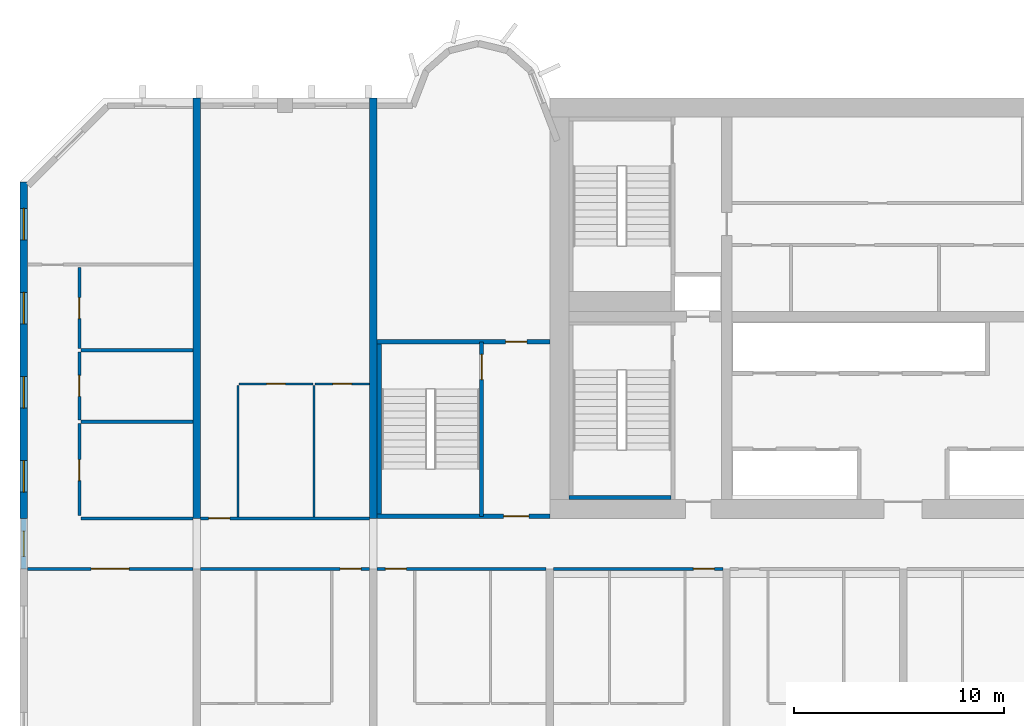
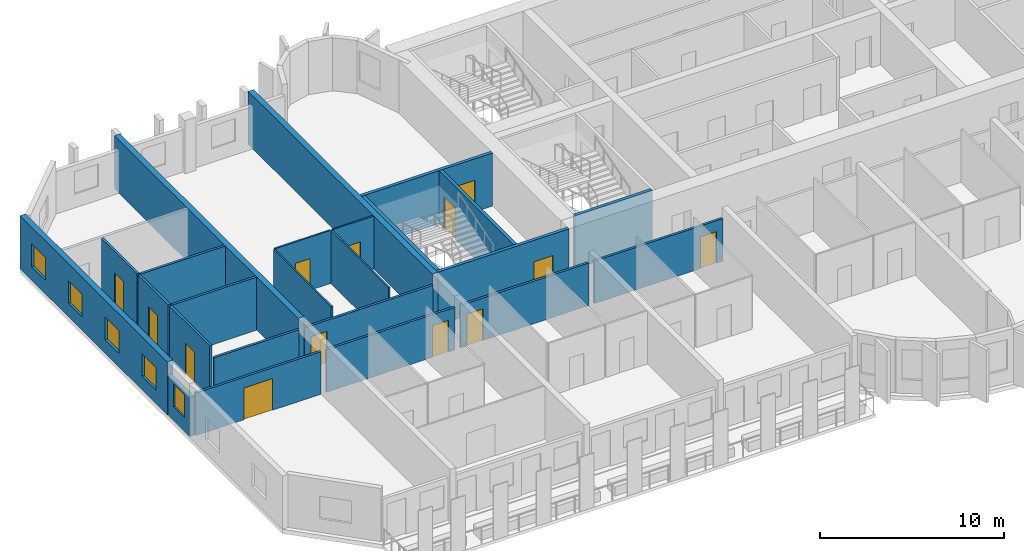
# One storey, part 3 of 14: 24 walls, 13 doors, 5 windows, 18 openings.
"""IFC4 building model written with IfcOpenShell, lengths in metres."""

from ifc_helpers import new_model, si_unit, direction, frame, frame_2d, origin, place, context, subcontext, project, spatial, rectangle, extrude, source, transform, mapped, material, layer, layer_set, type_object, element, fill, save


model = new_model("IFC4")

# Units and contexts
model_context = context("Model", 3, precision=1e-05, world=origin(), true_north=direction((0.0, 1.0)))
body_context = subcontext(model_context, "Body", "Model", "MODEL_VIEW")
ifc_project = project(units=[si_unit("LENGTHUNIT", "METRE"), si_unit("AREAUNIT", "SQUARE_METRE"), si_unit("VOLUMEUNIT", "CUBIC_METRE"), si_unit("PLANEANGLEUNIT", "RADIAN"), si_unit("MASSUNIT", "GRAM", prefix="KILO")], contexts=[model_context])

# Site, building, storey
site_placement = place(None, origin())
site = spatial("IfcSite", under=ifc_project, at=site_placement, CompositionType="ELEMENT")
building_placement = place(site_placement, origin())
building = spatial("IfcBuilding", under=site, at=building_placement, Name="Vanashikhar Sky Hotel", CompositionType="ELEMENT")
storey_placement = place(building_placement, frame((0.0, 0.0, 118.0)))
storey = spatial("IfcBuildingStorey", under=building, at=storey_placement, Name="L28", CompositionType="ELEMENT", Elevation=118.0)

# Wall, openings, windows
ifc_material_1 = material(Name="Concrete M70", Category="concrete")
ifc_layer_1 = layer(ifc_material_1, 0.35009765625)
ifc_layer_set_1 = layer_set([ifc_layer_1], Name="RC shear wall 350 Concrete M70")
wall_type_1 = type_object("IfcWallType", Name="RC shear wall 350 Concrete M70", PredefinedType="SHEAR", material=ifc_layer_set_1)
shared_shape_1 = source(origin(), body_context, "Body", "SweptSolid", [
    extrude(rectangle(XDim=16.0, YDim=0.35009765625, at=frame_2d((8.0, 0.0))), origin(), (0.0, 0.0, 1.0), 3.52001953125),
])
wall_1_placement = place(storey_placement, frame((0.175048828125, 22.0, 0.0), z_axis=(0.0, 0.0, 1.0), x_axis=(0.0, 1.0, 0.0)))
wall_1 = element("IfcWall", 1, at=wall_1_placement, inside=storey, type_object=wall_type_1, Name="CW-L28-XW01-2", PredefinedType="SHEAR", context=body_context, shape_type="MappedRepresentation", body=[
    mapped(shared_shape_1, transform((0.0, 0.0, 0.0), scale=1.0)),
])
shared_shape_2 = source(origin(), body_context, "Body", "SweptSolid", [
    extrude(rectangle(XDim=1.5, YDim=1.5, at=frame_2d((0.75, 0.75))), frame((0.0, 0.18505859375, 0.0), z_axis=(0.0, -1.0, 0.0), x_axis=(1.0, 0.0, 0.0)), (0.0, 0.0, 1.0), 0.3701171875),
])
opening_1_placement = place(wall_1_placement, frame((1.25, 0.0, 0.89990234375)))
opening_1 = element("IfcOpeningElement", 2, at=opening_1_placement, cuts=wall_1, Name="Opening WN-1", PredefinedType="OPENING", context=body_context, shape_type="MappedRepresentation", body=[
    mapped(shared_shape_2, transform((0.0, 0.0, 0.0), scale=1.0)),
])
opening_2_placement = place(wall_1_placement, frame((5.25, 0.0, 0.89990234375)))
opening_2 = element("IfcOpeningElement", 3, at=opening_2_placement, cuts=wall_1, Name="Opening WN-1", PredefinedType="OPENING", context=body_context, shape_type="MappedRepresentation", body=[
    mapped(shared_shape_2, transform((0.0, 0.0, 0.0), scale=1.0)),
])
opening_3_placement = place(wall_1_placement, frame((9.25, 0.0, 0.89990234375)))
opening_3 = element("IfcOpeningElement", 4, at=opening_3_placement, cuts=wall_1, Name="Opening WN-1", PredefinedType="OPENING", context=body_context, shape_type="MappedRepresentation", body=[
    mapped(shared_shape_2, transform((0.0, 0.0, 0.0), scale=1.0)),
])
opening_4_placement = place(wall_1_placement, frame((13.25, 0.0, 0.89990234375)))
opening_4 = element("IfcOpeningElement", 5, at=opening_4_placement, cuts=wall_1, Name="Opening WN-1", PredefinedType="OPENING", context=body_context, shape_type="MappedRepresentation", body=[
    mapped(shared_shape_2, transform((0.0, 0.0, 0.0), scale=1.0)),
])
ifc_material_2 = material(Name="Glass", Category="glass")
window_type_1 = type_object("IfcWindowType", Name="Window 1500 x 1500", PartitioningType="SINGLE_PANEL", PredefinedType="WINDOW", material=ifc_material_2)
shared_shape_3 = source(origin(), body_context, "Body", "SweptSolid", [
    extrude(rectangle(XDim=1.5, YDim=1.5, at=frame_2d((0.75, 0.75))), frame((0.0, 0.030029296875, 0.0), z_axis=(0.0, -1.0, 0.0), x_axis=(1.0, 0.0, 0.0)), (0.0, 0.0, 1.0), 0.06005859375),
])
window_1_placement = place(opening_1_placement, origin())
window_1 = element("IfcWindow", 6, at=window_1_placement, inside=storey, type_object=window_type_1, Name="Window WN-1", OverallHeight=1.5, OverallWidth=1.5, PartitioningType="SINGLE_PANEL", PredefinedType="WINDOW", context=body_context, shape_type="MappedRepresentation", body=[
    mapped(shared_shape_3, transform((0.0, 0.0, 0.0), scale=1.0)),
])
fill(opening_1, window_1)
window_2_placement = place(opening_2_placement, origin())
window_2 = element("IfcWindow", 7, at=window_2_placement, inside=storey, type_object=window_type_1, Name="Window WN-1", OverallHeight=1.5, OverallWidth=1.5, PartitioningType="SINGLE_PANEL", PredefinedType="WINDOW", context=body_context, shape_type="MappedRepresentation", body=[
    mapped(shared_shape_3, transform((0.0, 0.0, 0.0), scale=1.0)),
])
fill(opening_2, window_2)
window_3_placement = place(opening_3_placement, origin())
window_3 = element("IfcWindow", 8, at=window_3_placement, inside=storey, type_object=window_type_1, Name="Window WN-1", OverallHeight=1.5, OverallWidth=1.5, PartitioningType="SINGLE_PANEL", PredefinedType="WINDOW", context=body_context, shape_type="MappedRepresentation", body=[
    mapped(shared_shape_3, transform((0.0, 0.0, 0.0), scale=1.0)),
])
fill(opening_3, window_3)
window_4_placement = place(opening_4_placement, origin())
window_4 = element("IfcWindow", 9, at=window_4_placement, inside=storey, type_object=window_type_1, Name="Window WN-1", OverallHeight=1.5, OverallWidth=1.5, PartitioningType="SINGLE_PANEL", PredefinedType="WINDOW", context=body_context, shape_type="MappedRepresentation", body=[
    mapped(shared_shape_3, transform((0.0, 0.0, 0.0), scale=1.0)),
])
fill(opening_4, window_4)

# Walls
shared_shape_4 = source(origin(), body_context, "Body", "SweptSolid", [
    extrude(rectangle(XDim=20.0, YDim=0.35009765625, at=frame_2d((10.0, 0.0))), origin(), (0.0, 0.0, 1.0), 3.52001953125),
])
for number, where, z_axis, x_axis, name in (
    (10, (8.39990234375, 22.0, 0.0), (0.0, 0.0, 1.0), (0.0, 1.0, 0.0), "CW-L28-XW02-2"),
    (11, (16.800048828125, 22.0, 0.0), (0.0, 0.0, 1.0), (0.0, 1.0, 0.0), "CW-L28-XW03-2"),
):
    element("IfcWall", number, at=place(storey_placement, frame(where, z_axis=z_axis, x_axis=x_axis)), inside=storey, type_object=wall_type_1, Name=name, PredefinedType="SHEAR", context=body_context, shape_type="MappedRepresentation", body=[
        mapped(shared_shape_4, transform((0.0, 0.0, 0.0), scale=1.0)),
    ])

# Wall, opening, window
ifc_material_3 = material(Name="Concrete M50", Category="concrete")
ifc_layer_2 = layer(ifc_material_3, 0.25)
ifc_layer_set_2 = layer_set([ifc_layer_2], Name="Rear and end board-marked wall 250")
wall_type_2 = type_object("IfcWallType", Name="Rear and end board-marked wall 250", PredefinedType="SOLIDWALL", material=ifc_layer_set_2)
shared_shape_5 = source(origin(), body_context, "Body", "SweptSolid", [
    extrude(rectangle(XDim=2.39990234375, YDim=0.25, at=frame_2d((1.199951171875, 0.0))), origin(), (0.0, 0.0, 1.0), 2.6201171875),
])
wall_2_placement = place(storey_placement, frame((0.175048828125, 19.60009765625, 0.0), z_axis=(0.0, 0.0, 1.0), x_axis=(0.0, 1.0, 0.0)))
wall_2 = element("IfcWall", 12, at=wall_2_placement, inside=storey, type_object=wall_type_2, Name="End corridor infill wall", PredefinedType="SOLIDWALL", context=body_context, shape_type="MappedRepresentation", body=[
    mapped(shared_shape_5, transform((0.0, 0.0, 0.0), scale=1.0)),
])
shared_shape_6 = source(origin(), body_context, "Body", "SweptSolid", [
    extrude(rectangle(XDim=1.199951171875, YDim=1.5, at=frame_2d((0.60009765625, 0.75))), frame((0.0, 0.135009765625, 0.0), z_axis=(0.0, -1.0, 0.0), x_axis=(1.0, 0.0, 0.0)), (0.0, 0.0, 1.0), 0.27001953125),
])
opening_5_placement = place(wall_2_placement, frame((0.60009765625, 0.0, 0.89990234375)))
opening_5 = element("IfcOpeningElement", 13, at=opening_5_placement, cuts=wall_2, Name="Opening WN-3", PredefinedType="OPENING", context=body_context, shape_type="MappedRepresentation", body=[
    mapped(shared_shape_6, transform((0.0, 0.0, 0.0), scale=1.0)),
])
window_type_2 = type_object("IfcWindowType", Name="Corridor end window 1200 x 1500", PartitioningType="SINGLE_PANEL", PredefinedType="WINDOW", material=ifc_material_2)
shared_shape_7 = source(origin(), body_context, "Body", "SweptSolid", [
    extrude(rectangle(XDim=1.199951171875, YDim=1.5, at=frame_2d((0.60009765625, 0.75))), frame((0.0, 0.030029296875, 0.0), z_axis=(0.0, -1.0, 0.0), x_axis=(1.0, 0.0, 0.0)), (0.0, 0.0, 1.0), 0.06005859375),
])
window_5_placement = place(opening_5_placement, origin())
window_5 = element("IfcWindow", 14, at=window_5_placement, inside=storey, type_object=window_type_2, Name="Window WN-3", OverallHeight=1.5, OverallWidth=1.199951171875, PartitioningType="SINGLE_PANEL", PredefinedType="WINDOW", context=body_context, shape_type="MappedRepresentation", body=[
    mapped(shared_shape_7, transform((0.0, 0.0, 0.0), scale=1.0)),
])
fill(opening_5, window_5)

# Wall, opening, door
ifc_layer_3 = layer(ifc_material_3, 0.199951171875)
ifc_layer_set_3 = layer_set([ifc_layer_3], Name="Stair wall 200")
wall_type_3 = type_object("IfcWallType", Name="Stair wall 200", PredefinedType="SOLIDWALL", material=ifc_layer_set_3)
shared_shape_8 = source(origin(), body_context, "Body", "SweptSolid", [
    extrude(rectangle(XDim=8.2998046875, YDim=0.199951171875, at=frame_2d((4.14990234375, 0.0))), origin(), (0.0, 0.0, 1.0), 3.52001953125),
])
wall_3_placement = place(storey_placement, frame((21.949951171875, 22.10009765625, 0.0), z_axis=(0.0, 0.0, 1.0), x_axis=(0.0, 1.0, 0.0)))
wall_3 = element("IfcWall", 15, at=wall_3_placement, inside=storey, type_object=wall_type_3, Name="Stair wall 200", PredefinedType="SOLIDWALL", context=body_context, shape_type="MappedRepresentation", body=[
    mapped(shared_shape_8, transform((0.0, 0.0, 0.0), scale=1.0)),
])
shared_shape_9 = source(origin(), body_context, "Body", "SweptSolid", [
    extrude(rectangle(XDim=1.199951171875, YDim=2.10009765625, at=frame_2d((0.60009765625, 1.050048828125))), frame((0.0, 0.10986328125, 0.0), z_axis=(0.0, -1.0, 0.0), x_axis=(1.0, 0.0, 0.0)), (0.0, 0.0, 1.0), 0.219970703125),
])
opening_6_placement = place(wall_3_placement, frame((6.5, 0.0, 0.0)))
opening_6 = element("IfcOpeningElement", 16, at=opening_6_placement, cuts=wall_3, Name="Opening DC-1", PredefinedType="OPENING", context=body_context, shape_type="MappedRepresentation", body=[
    mapped(shared_shape_9, transform((0.0, 0.0, 0.0), scale=1.0)),
])
ifc_material_4 = material(Name="Steel", Category="steel")
door_type_1 = type_object("IfcDoorType", Name="Stair door 1200 FD120", OperationType="NOTDEFINED", PredefinedType="DOOR", material=ifc_material_4)
shared_shape_10 = source(origin(), body_context, "Body", "SweptSolid", [
    extrude(rectangle(XDim=1.199951171875, YDim=2.10009765625, at=frame_2d((0.60009765625, 1.050048828125))), frame((0.0, 0.02490234375, 0.0), z_axis=(0.0, -1.0, 0.0), x_axis=(1.0, 0.0, 0.0)), (0.0, 0.0, 1.0), 0.050048828125),
])
door_1_placement = place(opening_6_placement, origin())
door_1 = element("IfcDoor", 17, at=door_1_placement, inside=storey, type_object=door_type_1, Name="Stair door 1200 FD120", OperationType="SINGLE_SWING_LEFT", OverallHeight=2.10009765625, OverallWidth=1.199951171875, PredefinedType="DOOR", context=body_context, shape_type="MappedRepresentation", body=[
    mapped(shared_shape_10, transform((0.0, 0.0, 0.0), scale=1.0)),
])
fill(opening_6, door_1)

shared_shape_11 = source(origin(), body_context, "Body", "SweptSolid", [
    extrude(rectangle(XDim=8.224853515625, YDim=0.199951171875, at=frame_2d((4.1123046875, 0.0))), origin(), (0.0, 0.0, 1.0), 3.52001953125),
])
wall_4_placement = place(storey_placement, frame((16.97509765625, 22.10009765625, 0.0), z_axis=(0.0, 0.0, 1.0), x_axis=(1.0, 0.0, 0.0)))
wall_4 = element("IfcWall", 18, at=wall_4_placement, inside=storey, type_object=wall_type_3, Name="Stair wall 200", PredefinedType="SOLIDWALL", context=body_context, shape_type="MappedRepresentation", body=[
    mapped(shared_shape_11, transform((0.0, 0.0, 0.0), scale=1.0)),
])
opening_7_placement = place(wall_4_placement, frame((6.02490234375, 0.0, 0.0)))
opening_7 = element("IfcOpeningElement", 19, at=opening_7_placement, cuts=wall_4, Name="Opening DC-2", PredefinedType="OPENING", context=body_context, shape_type="MappedRepresentation", body=[
    mapped(shared_shape_9, transform((0.0, 0.0, 0.0), scale=1.0)),
])
door_type_2 = type_object("IfcDoorType", Name="Firefighting lobby door 1200 FD120", OperationType="NOTDEFINED", PredefinedType="DOOR", material=ifc_material_4)
door_2_placement = place(opening_7_placement, origin())
door_2 = element("IfcDoor", 20, at=door_2_placement, inside=storey, type_object=door_type_2, Name="Firefighting lobby door 1200 FD120", OperationType="SINGLE_SWING_LEFT", OverallHeight=2.10009765625, OverallWidth=1.199951171875, PredefinedType="DOOR", context=body_context, shape_type="MappedRepresentation", body=[
    mapped(shared_shape_10, transform((0.0, 0.0, 0.0), scale=1.0)),
])
fill(opening_7, door_2)

wall_5_placement = place(storey_placement, frame((16.97509765625, 30.39990234375, 0.0), z_axis=(0.0, 0.0, 1.0), x_axis=(1.0, 0.0, 0.0)))
wall_5 = element("IfcWall", 21, at=wall_5_placement, inside=storey, type_object=wall_type_3, Name="Stair wall 200", PredefinedType="SOLIDWALL", context=body_context, shape_type="MappedRepresentation", body=[
    mapped(shared_shape_11, transform((0.0, 0.0, 0.0), scale=1.0)),
])
shared_shape_12 = source(origin(), body_context, "Body", "SweptSolid", [
    extrude(rectangle(XDim=1.0, YDim=2.10009765625, at=frame_2d((0.5, 1.050048828125))), frame((0.0, 0.10986328125, 0.0), z_axis=(0.0, -1.0, 0.0), x_axis=(1.0, 0.0, 0.0)), (0.0, 0.0, 1.0), 0.219970703125),
])
opening_8_placement = place(wall_5_placement, frame((6.125, 0.0, 0.0)))
opening_8 = element("IfcOpeningElement", 22, at=opening_8_placement, cuts=wall_5, Name="Opening DC-6", PredefinedType="OPENING", context=body_context, shape_type="MappedRepresentation", body=[
    mapped(shared_shape_12, transform((0.0, 0.0, 0.0), scale=1.0)),
])
door_type_3 = type_object("IfcDoorType", Name="Pocket door 1000 FD60", OperationType="NOTDEFINED", PredefinedType="DOOR", material=ifc_material_4)
shared_shape_13 = source(origin(), body_context, "Body", "SweptSolid", [
    extrude(rectangle(XDim=1.0, YDim=2.10009765625, at=frame_2d((0.5, 1.050048828125))), frame((0.0, 0.02490234375, 0.0), z_axis=(0.0, -1.0, 0.0), x_axis=(1.0, 0.0, 0.0)), (0.0, 0.0, 1.0), 0.050048828125),
])
door_3_placement = place(opening_8_placement, origin())
door_3 = element("IfcDoor", 23, at=door_3_placement, inside=storey, type_object=door_type_3, Name="Pocket door 1000 FD60", OperationType="SINGLE_SWING_LEFT", OverallHeight=2.10009765625, OverallWidth=1.0, PredefinedType="DOOR", context=body_context, shape_type="MappedRepresentation", body=[
    mapped(shared_shape_13, transform((0.0, 0.0, 0.0), scale=1.0)),
])
fill(opening_8, door_3)

# Walls
ifc_layer_4 = layer(ifc_material_3, 0.199951171875)
ifc_layer_set_4 = layer_set([ifc_layer_4], Name="Stair infill wall 200")
wall_type_4 = type_object("IfcWallType", Name="Stair infill wall 200", PredefinedType="SOLIDWALL", material=ifc_layer_set_4)
shared_shape_14 = source(origin(), body_context, "Body", "SweptSolid", [
    extrude(rectangle(XDim=4.849853515625, YDim=0.199951171875, at=frame_2d((2.4248046875, 0.0))), origin(), (0.0, 0.0, 1.0), 3.52001953125),
])
wall_6_placement = place(storey_placement, frame((26.10009765625, 23.0, 0.0), z_axis=(0.0, 0.0, 1.0), x_axis=(1.0, 0.0, 0.0)))
element("IfcWall", 24, at=wall_6_placement, inside=storey, type_object=wall_type_4, Name="Stair infill wall 200", PredefinedType="SOLIDWALL", context=body_context, shape_type="MappedRepresentation", body=[
    mapped(shared_shape_14, transform((0.0, 0.0, 0.0), scale=1.0)),
])
ifc_layer_5 = layer(ifc_material_3, 0.22509765625)
ifc_layer_set_5 = layer_set([ifc_layer_5], Name="Stair infill wall 225")
wall_type_5 = type_object("IfcWallType", Name="Stair infill wall 225", PredefinedType="SOLIDWALL", material=ifc_layer_set_5)
shared_shape_15 = source(origin(), body_context, "Body", "SweptSolid", [
    extrude(rectangle(XDim=8.10009765625, YDim=0.22509765625, at=frame_2d((4.050048828125, 0.0))), origin(), (0.0, 0.0, 1.0), 3.52001953125),
])
wall_7_placement = place(storey_placement, frame((17.0869140625, 22.199951171875, 0.0), z_axis=(0.0, 0.0, 1.0), x_axis=(0.0, 1.0, 0.0)))
element("IfcWall", 25, at=wall_7_placement, inside=storey, type_object=wall_type_5, Name="Stair infill wall 225", PredefinedType="SOLIDWALL", context=body_context, shape_type="MappedRepresentation", body=[
    mapped(shared_shape_15, transform((0.0, 0.0, 0.0), scale=1.0)),
])

# Wall, opening, door
ifc_material_5 = material(Name="Gypsum plasterboard partition")
ifc_layer_6 = layer(ifc_material_5, 0.14990234375)
ifc_layer_set_6 = layer_set([ifc_layer_6], Name="Corridor and demising partition 150")
wall_type_6 = type_object("IfcWallType", Name="Corridor and demising partition 150", PredefinedType="PARTITIONING", material=ifc_layer_set_6)
shared_shape_16 = source(origin(), body_context, "Body", "SweptSolid", [
    extrude(rectangle(XDim=4.375, YDim=0.14990234375, at=frame_2d((2.1875, 0.0))), origin(), (0.0, 0.0, 1.0), 3.52001953125),
])
wall_8_placement = place(storey_placement, frame((2.824951171875, 22.14990234375, 0.0), z_axis=(0.0, 0.0, 1.0), x_axis=(0.0, 1.0, 0.0)))
wall_8 = element("IfcWall", 26, at=wall_8_placement, inside=storey, type_object=wall_type_6, Name="W-L28-PW060", PredefinedType="PARTITIONING", context=body_context, shape_type="MappedRepresentation", body=[
    mapped(shared_shape_16, transform((0.0, 0.0, 0.0), scale=1.0)),
])
shared_shape_17 = source(origin(), body_context, "Body", "SweptSolid", [
    extrude(rectangle(XDim=1.0, YDim=2.10009765625, at=frame_2d((0.5, 1.050048828125))), frame((0.0, 0.0849609375, 0.0), z_axis=(0.0, -1.0, 0.0), x_axis=(1.0, 0.0, 0.0)), (0.0, 0.0, 1.0), 0.169921875),
])
opening_9_placement = place(wall_8_placement, frame((1.64990234375, 0.0, 0.0)))
opening_9 = element("IfcOpeningElement", 27, at=opening_9_placement, cuts=wall_8, Name="Opening D-01", PredefinedType="OPENING", context=body_context, shape_type="MappedRepresentation", body=[
    mapped(shared_shape_17, transform((0.0, 0.0, 0.0), scale=1.0)),
])
ifc_material_6 = material(Name="Timber fire door", Category="wood")
door_type_4 = type_object("IfcDoorType", Name="Guest entry door 1000 FD30S", OperationType="NOTDEFINED", PredefinedType="DOOR", material=ifc_material_6)
door_4_placement = place(opening_9_placement, origin())
door_4 = element("IfcDoor", 28, at=door_4_placement, inside=storey, type_object=door_type_4, Name="D-L28-036", OperationType="SINGLE_SWING_LEFT", OverallHeight=2.10009765625, OverallWidth=1.0, PredefinedType="DOOR", context=body_context, shape_type="MappedRepresentation", body=[
    mapped(shared_shape_13, transform((0.0, 0.0, 0.0), scale=1.0)),
])
fill(opening_9, door_4)

shared_shape_18 = source(origin(), body_context, "Body", "SweptSolid", [
    extrude(rectangle(XDim=3.25, YDim=0.14990234375, at=frame_2d((1.625, 0.0))), origin(), (0.0, 0.0, 1.0), 3.52001953125),
])
wall_9_placement = place(storey_placement, frame((2.824951171875, 26.675048828125, 0.0), z_axis=(0.0, 0.0, 1.0), x_axis=(0.0, 1.0, 0.0)))
wall_9 = element("IfcWall", 29, at=wall_9_placement, inside=storey, type_object=wall_type_6, Name="W-L28-PW062", PredefinedType="PARTITIONING", context=body_context, shape_type="MappedRepresentation", body=[
    mapped(shared_shape_18, transform((0.0, 0.0, 0.0), scale=1.0)),
])
opening_10_placement = place(wall_9_placement, frame((1.125, 0.0, 0.0)))
opening_10 = element("IfcOpeningElement", 30, at=opening_10_placement, cuts=wall_9, Name="Opening D-01", PredefinedType="OPENING", context=body_context, shape_type="MappedRepresentation", body=[
    mapped(shared_shape_17, transform((0.0, 0.0, 0.0), scale=1.0)),
])
door_5_placement = place(opening_10_placement, origin())
door_5 = element("IfcDoor", 31, at=door_5_placement, inside=storey, type_object=door_type_4, Name="D-L28-037", OperationType="SINGLE_SWING_LEFT", OverallHeight=2.10009765625, OverallWidth=1.0, PredefinedType="DOOR", context=body_context, shape_type="MappedRepresentation", body=[
    mapped(shared_shape_13, transform((0.0, 0.0, 0.0), scale=1.0)),
])
fill(opening_10, door_5)

shared_shape_19 = source(origin(), body_context, "Body", "SweptSolid", [
    extrude(rectangle(XDim=3.85009765625, YDim=0.14990234375, at=frame_2d((1.925048828125, 0.0))), origin(), (0.0, 0.0, 1.0), 3.52001953125),
])
wall_10_placement = place(storey_placement, frame((2.824951171875, 30.074951171875, 0.0), z_axis=(0.0, 0.0, 1.0), x_axis=(0.0, 1.0, 0.0)))
wall_10 = element("IfcWall", 32, at=wall_10_placement, inside=storey, type_object=wall_type_6, Name="W-L28-PW064", PredefinedType="PARTITIONING", context=body_context, shape_type="MappedRepresentation", body=[
    mapped(shared_shape_19, transform((0.0, 0.0, 0.0), scale=1.0)),
])
opening_11_placement = place(wall_10_placement, frame((1.425048828125, 0.0, 0.0)))
opening_11 = element("IfcOpeningElement", 33, at=opening_11_placement, cuts=wall_10, Name="Opening D-01", PredefinedType="OPENING", context=body_context, shape_type="MappedRepresentation", body=[
    mapped(shared_shape_17, transform((0.0, 0.0, 0.0), scale=1.0)),
])
door_6_placement = place(opening_11_placement, origin())
door_6 = element("IfcDoor", 34, at=door_6_placement, inside=storey, type_object=door_type_4, Name="D-L28-038", OperationType="SINGLE_SWING_LEFT", OverallHeight=2.10009765625, OverallWidth=1.0, PredefinedType="DOOR", context=body_context, shape_type="MappedRepresentation", body=[
    mapped(shared_shape_13, transform((0.0, 0.0, 0.0), scale=1.0)),
])
fill(opening_11, door_6)

ifc_layer_7 = layer(ifc_material_5, 0.10009765625)
ifc_layer_set_7 = layer_set([ifc_layer_7], Name="Wet room partition 100")
wall_type_7 = type_object("IfcWallType", Name="Wet room partition 100", PredefinedType="PARTITIONING", material=ifc_layer_set_7)
shared_shape_20 = source(origin(), body_context, "Body", "SweptSolid", [
    extrude(rectangle(XDim=3.5, YDim=0.10009765625, at=frame_2d((1.75, 0.0))), origin(), (0.0, 0.0, 1.0), 3.52001953125),
])
wall_11_placement = place(storey_placement, frame((10.425048828125, 28.39990234375, 0.0), z_axis=(0.0, 0.0, 1.0), x_axis=(1.0, 0.0, 0.0)))
wall_11 = element("IfcWall", 35, at=wall_11_placement, inside=storey, type_object=wall_type_7, Name="W-L28-PW068", PredefinedType="PARTITIONING", context=body_context, shape_type="MappedRepresentation", body=[
    mapped(shared_shape_20, transform((0.0, 0.0, 0.0), scale=1.0)),
])
shared_shape_21 = source(origin(), body_context, "Body", "SweptSolid", [
    extrude(rectangle(XDim=0.89990234375, YDim=2.10009765625, at=frame_2d((0.449951171875, 1.050048828125))), frame((0.0, 0.06005859375, 0.0), z_axis=(0.0, -1.0, 0.0), x_axis=(1.0, 0.0, 0.0)), (0.0, 0.0, 1.0), 0.1201171875),
])
opening_12_placement = place(wall_11_placement, frame((1.300048828125, 0.0, 0.0)))
opening_12 = element("IfcOpeningElement", 36, at=opening_12_placement, cuts=wall_11, Name="Opening D-02", PredefinedType="OPENING", context=body_context, shape_type="MappedRepresentation", body=[
    mapped(shared_shape_21, transform((0.0, 0.0, 0.0), scale=1.0)),
])
ifc_material_7 = material(Name="Timber door", Category="wood")
door_type_5 = type_object("IfcDoorType", Name="Internal door 900", OperationType="NOTDEFINED", PredefinedType="DOOR", material=ifc_material_7)
shared_shape_22 = source(origin(), body_context, "Body", "SweptSolid", [
    extrude(rectangle(XDim=0.89990234375, YDim=2.10009765625, at=frame_2d((0.449951171875, 1.050048828125))), frame((0.0, 0.02490234375, 0.0), z_axis=(0.0, -1.0, 0.0), x_axis=(1.0, 0.0, 0.0)), (0.0, 0.0, 1.0), 0.050048828125),
])
door_7_placement = place(opening_12_placement, origin())
door_7 = element("IfcDoor", 37, at=door_7_placement, inside=storey, type_object=door_type_5, Name="D-L28-040", OperationType="SINGLE_SWING_LEFT", OverallHeight=2.10009765625, OverallWidth=0.89990234375, PredefinedType="DOOR", context=body_context, shape_type="MappedRepresentation", body=[
    mapped(shared_shape_22, transform((0.0, 0.0, 0.0), scale=1.0)),
])
fill(opening_12, door_7)

# Walls
shared_shape_23 = source(origin(), body_context, "Body", "SweptSolid", [
    extrude(rectangle(XDim=6.25, YDim=0.10009765625, at=frame_2d((3.125, 0.0))), origin(), (0.0, 0.0, 1.0), 3.52001953125),
])
for number, where, z_axis, x_axis, name in (
    (38, (10.375, 22.074951171875, 0.0), (0.0, 0.0, 1.0), (0.0, 1.0, 0.0), "W-L28-PW066"),
    (39, (13.97509765625, 22.074951171875, 0.0), (0.0, 0.0, 1.0), (0.0, 1.0, 0.0), "W-L28-PW067"),
):
    element("IfcWall", number, at=place(storey_placement, frame(where, z_axis=z_axis, x_axis=x_axis)), inside=storey, type_object=wall_type_7, Name=name, PredefinedType="PARTITIONING", context=body_context, shape_type="MappedRepresentation", body=[
        mapped(shared_shape_23, transform((0.0, 0.0, 0.0), scale=1.0)),
    ])

# Wall, opening, door
shared_shape_24 = source(origin(), body_context, "Body", "SweptSolid", [
    extrude(rectangle(XDim=2.60009765625, YDim=0.10009765625, at=frame_2d((1.300048828125, 0.0))), origin(), (0.0, 0.0, 1.0), 3.52001953125),
])
wall_12_placement = place(storey_placement, frame((14.02490234375, 28.39990234375, 0.0), z_axis=(0.0, 0.0, 1.0), x_axis=(1.0, 0.0, 0.0)))
wall_12 = element("IfcWall", 40, at=wall_12_placement, inside=storey, type_object=wall_type_7, Name="W-L28-PW069", PredefinedType="PARTITIONING", context=body_context, shape_type="MappedRepresentation", body=[
    mapped(shared_shape_24, transform((0.0, 0.0, 0.0), scale=1.0)),
])
opening_13_placement = place(wall_12_placement, frame((0.85009765625, 0.0, 0.0)))
opening_13 = element("IfcOpeningElement", 41, at=opening_13_placement, cuts=wall_12, Name="Opening D-02", PredefinedType="OPENING", context=body_context, shape_type="MappedRepresentation", body=[
    mapped(shared_shape_21, transform((0.0, 0.0, 0.0), scale=1.0)),
])
door_8_placement = place(opening_13_placement, origin())
door_8 = element("IfcDoor", 42, at=door_8_placement, inside=storey, type_object=door_type_5, Name="D-L28-041", OperationType="SINGLE_SWING_LEFT", OverallHeight=2.10009765625, OverallWidth=0.89990234375, PredefinedType="DOOR", context=body_context, shape_type="MappedRepresentation", body=[
    mapped(shared_shape_22, transform((0.0, 0.0, 0.0), scale=1.0)),
])
fill(opening_13, door_8)

shared_shape_25 = source(origin(), body_context, "Body", "SweptSolid", [
    extrude(rectangle(XDim=8.050048828125, YDim=0.14990234375, at=frame_2d((4.02490234375, 0.0))), origin(), (0.0, 0.0, 1.0), 2.820068359375),
])
wall_13_placement = place(storey_placement, frame((8.574951171875, 19.60009765625, 0.0), z_axis=(0.0, 0.0, 1.0), x_axis=(1.0, 0.0, 0.0)))
wall_13 = element("IfcWall", 43, at=wall_13_placement, inside=storey, type_object=wall_type_6, Name="W-L28-PW007", PredefinedType="PARTITIONING", context=body_context, shape_type="MappedRepresentation", body=[
    mapped(shared_shape_25, transform((0.0, 0.0, 0.0), scale=1.0)),
])
opening_14_placement = place(wall_13_placement, frame((6.64990234375, 0.0, 0.0)))
opening_14 = element("IfcOpeningElement", 44, at=opening_14_placement, cuts=wall_13, Name="Opening D-01", PredefinedType="OPENING", context=body_context, shape_type="MappedRepresentation", body=[
    mapped(shared_shape_17, transform((0.0, 0.0, 0.0), scale=1.0)),
])
door_9_placement = place(opening_14_placement, origin())
door_9 = element("IfcDoor", 45, at=door_9_placement, inside=storey, type_object=door_type_4, Name="D-L28-005", OperationType="SINGLE_SWING_RIGHT", OverallHeight=2.10009765625, OverallWidth=1.0, PredefinedType="DOOR", context=body_context, shape_type="MappedRepresentation", body=[
    mapped(shared_shape_13, transform((0.0, 0.0, 0.0), scale=1.0)),
])
fill(opening_14, door_9)

wall_14_placement = place(storey_placement, frame((25.375, 19.60009765625, 0.0), z_axis=(0.0, 0.0, 1.0), x_axis=(1.0, 0.0, 0.0)))
wall_14 = element("IfcWall", 46, at=wall_14_placement, inside=storey, type_object=wall_type_6, Name="W-L28-PW017", PredefinedType="PARTITIONING", context=body_context, shape_type="MappedRepresentation", body=[
    mapped(shared_shape_25, transform((0.0, 0.0, 0.0), scale=1.0)),
])
opening_15_placement = place(wall_14_placement, frame((6.64990234375, 0.0, 0.0)))
opening_15 = element("IfcOpeningElement", 47, at=opening_15_placement, cuts=wall_14, Name="Opening D-01", PredefinedType="OPENING", context=body_context, shape_type="MappedRepresentation", body=[
    mapped(shared_shape_17, transform((0.0, 0.0, 0.0), scale=1.0)),
])
door_10_placement = place(opening_15_placement, origin())
door_10 = element("IfcDoor", 48, at=door_10_placement, inside=storey, type_object=door_type_4, Name="D-L28-011", OperationType="SINGLE_SWING_RIGHT", OverallHeight=2.10009765625, OverallWidth=1.0, PredefinedType="DOOR", context=body_context, shape_type="MappedRepresentation", body=[
    mapped(shared_shape_13, transform((0.0, 0.0, 0.0), scale=1.0)),
])
fill(opening_15, door_10)

wall_15_placement = place(storey_placement, frame((8.574951171875, 22.0, 0.0), z_axis=(0.0, 0.0, 1.0), x_axis=(1.0, 0.0, 0.0)))
wall_15 = element("IfcWall", 49, at=wall_15_placement, inside=storey, type_object=wall_type_6, Name="W-L28-PW070", PredefinedType="PARTITIONING", context=body_context, shape_type="MappedRepresentation", body=[
    mapped(shared_shape_25, transform((0.0, 0.0, 0.0), scale=1.0)),
])
opening_16_placement = place(wall_15_placement, frame((0.39990234375, 0.0, 0.0)))
opening_16 = element("IfcOpeningElement", 50, at=opening_16_placement, cuts=wall_15, Name="Opening D-01", PredefinedType="OPENING", context=body_context, shape_type="MappedRepresentation", body=[
    mapped(shared_shape_17, transform((0.0, 0.0, 0.0), scale=1.0)),
])
door_11_placement = place(opening_16_placement, origin())
door_11 = element("IfcDoor", 51, at=door_11_placement, inside=storey, type_object=door_type_4, Name="D-L28-042", OperationType="SINGLE_SWING_LEFT", OverallHeight=2.10009765625, OverallWidth=1.0, PredefinedType="DOOR", context=body_context, shape_type="MappedRepresentation", body=[
    mapped(shared_shape_13, transform((0.0, 0.0, 0.0), scale=1.0)),
])
fill(opening_16, door_11)

shared_shape_26 = source(origin(), body_context, "Body", "SweptSolid", [
    extrude(rectangle(XDim=8.0498046875, YDim=0.14990234375, at=frame_2d((4.02490234375, 0.0))), origin(), (0.0, 0.0, 1.0), 2.820068359375),
])
wall_16_placement = place(storey_placement, frame((16.97509765625, 19.60009765625, 0.0), z_axis=(0.0, 0.0, 1.0), x_axis=(1.0, 0.0, 0.0)))
wall_16 = element("IfcWall", 52, at=wall_16_placement, inside=storey, type_object=wall_type_6, Name="W-L28-PW012", PredefinedType="PARTITIONING", context=body_context, shape_type="MappedRepresentation", body=[
    mapped(shared_shape_26, transform((0.0, 0.0, 0.0), scale=1.0)),
])
opening_17_placement = place(wall_16_placement, frame((0.39990234375, 0.0, 0.0)))
opening_17 = element("IfcOpeningElement", 53, at=opening_17_placement, cuts=wall_16, Name="Opening D-01", PredefinedType="OPENING", context=body_context, shape_type="MappedRepresentation", body=[
    mapped(shared_shape_17, transform((0.0, 0.0, 0.0), scale=1.0)),
])
door_12_placement = place(opening_17_placement, origin())
door_12 = element("IfcDoor", 54, at=door_12_placement, inside=storey, type_object=door_type_4, Name="D-L28-008", OperationType="SINGLE_SWING_LEFT", OverallHeight=2.10009765625, OverallWidth=1.0, PredefinedType="DOOR", context=body_context, shape_type="MappedRepresentation", body=[
    mapped(shared_shape_13, transform((0.0, 0.0, 0.0), scale=1.0)),
])
fill(opening_17, door_12)

# Walls
shared_shape_27 = source(origin(), body_context, "Body", "SweptSolid", [
    extrude(rectangle(XDim=5.3251953125, YDim=0.14990234375, at=frame_2d((2.66259765625, 0.0))), origin(), (0.0, 0.0, 1.0), 2.820068359375),
])
wall_17_placement = place(storey_placement, frame((2.89990234375, 22.0, 0.0), z_axis=(0.0, 0.0, 1.0), x_axis=(1.0, 0.0, 0.0)))
element("IfcWall", 55, at=wall_17_placement, inside=storey, type_object=wall_type_6, Name="W-L28-PW059", PredefinedType="PARTITIONING", context=body_context, shape_type="MappedRepresentation", body=[
    mapped(shared_shape_27, transform((0.0, 0.0, 0.0), scale=1.0)),
])
shared_shape_28 = source(origin(), body_context, "Body", "SweptSolid", [
    extrude(rectangle(XDim=5.3251953125, YDim=0.14990234375, at=frame_2d((2.66259765625, 0.0))), origin(), (0.0, 0.0, 1.0), 3.52001953125),
])
for number, where, z_axis, x_axis, name in (
    (56, (2.89990234375, 26.60009765625, 0.0), (0.0, 0.0, 1.0), (1.0, 0.0, 0.0), "W-L28-PW061"),
    (57, (2.89990234375, 30.0, 0.0), (0.0, 0.0, 1.0), (1.0, 0.0, 0.0), "W-L28-PW063"),
):
    element("IfcWall", number, at=place(storey_placement, frame(where, z_axis=z_axis, x_axis=x_axis)), inside=storey, type_object=wall_type_6, Name=name, PredefinedType="PARTITIONING", context=body_context, shape_type="MappedRepresentation", body=[
        mapped(shared_shape_28, transform((0.0, 0.0, 0.0), scale=1.0)),
    ])

# Wall, opening, door
shared_shape_29 = source(origin(), body_context, "Body", "SweptSolid", [
    extrude(rectangle(XDim=7.875, YDim=0.14990234375, at=frame_2d((3.9375, 0.0))), origin(), (0.0, 0.0, 1.0), 2.820068359375),
])
wall_18_placement = place(storey_placement, frame((0.35009765625, 19.60009765625, 0.0), z_axis=(0.0, 0.0, 1.0), x_axis=(1.0, 0.0, 0.0)))
wall_18 = element("IfcWall", 58, at=wall_18_placement, inside=storey, type_object=wall_type_6, Name="W-L28-PW001", PredefinedType="PARTITIONING", context=body_context, shape_type="MappedRepresentation", body=[
    mapped(shared_shape_29, transform((0.0, 0.0, 0.0), scale=1.0)),
])
shared_shape_30 = source(origin(), body_context, "Body", "SweptSolid", [
    extrude(rectangle(XDim=1.800048828125, YDim=2.10009765625, at=frame_2d((0.89990234375, 1.050048828125))), frame((0.0, 0.0849609375, 0.0), z_axis=(0.0, -1.0, 0.0), x_axis=(1.0, 0.0, 0.0)), (0.0, 0.0, 1.0), 0.169921875),
])
opening_18_placement = place(wall_18_placement, frame((3.037109375, 0.0, 0.0)))
opening_18 = element("IfcOpeningElement", 59, at=opening_18_placement, cuts=wall_18, Name="Opening D-03", PredefinedType="OPENING", context=body_context, shape_type="MappedRepresentation", body=[
    mapped(shared_shape_30, transform((0.0, 0.0, 0.0), scale=1.0)),
])
door_type_6 = type_object("IfcDoorType", Name="Double leaf door 1800 FD30S", OperationType="NOTDEFINED", PredefinedType="DOOR", material=ifc_material_6)
shared_shape_31 = source(origin(), body_context, "Body", "SweptSolid", [
    extrude(rectangle(XDim=1.800048828125, YDim=2.10009765625, at=frame_2d((0.89990234375, 1.050048828125))), frame((0.0, 0.02490234375, 0.0), z_axis=(0.0, -1.0, 0.0), x_axis=(1.0, 0.0, 0.0)), (0.0, 0.0, 1.0), 0.050048828125),
])
door_13_placement = place(opening_18_placement, origin())
door_13 = element("IfcDoor", 60, at=door_13_placement, inside=storey, type_object=door_type_6, Name="D-L28-001", OperationType="DOUBLE_DOOR_SINGLE_SWING", OverallHeight=2.10009765625, OverallWidth=1.800048828125, PredefinedType="DOOR", context=body_context, shape_type="MappedRepresentation", body=[
    mapped(shared_shape_31, transform((0.0, 0.0, 0.0), scale=1.0)),
])
fill(opening_18, door_13)

save(model, "model.ifc")
